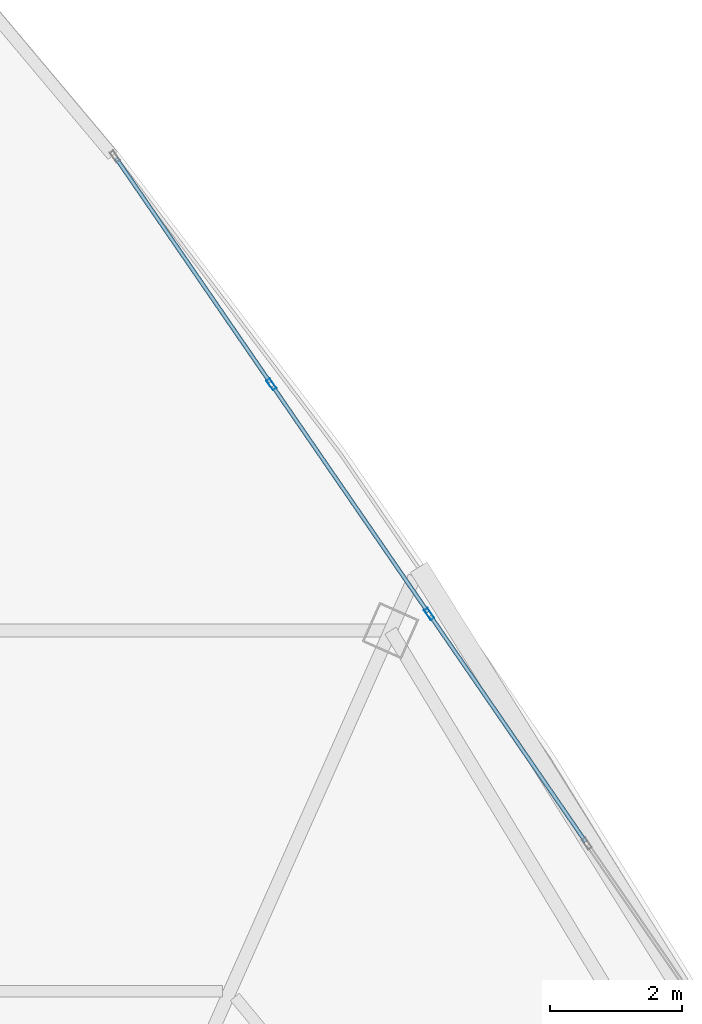
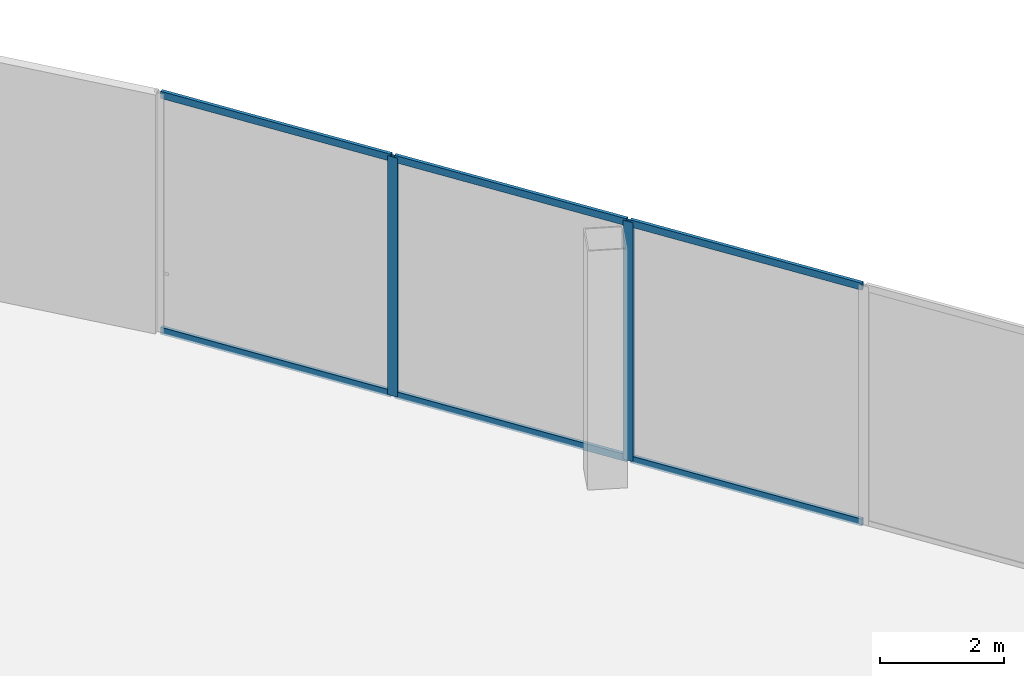
# One storey, part 27 of 33: 8 members, 1 element without a shape of its own.
"""IFC4 building model written with IfcOpenShell, lengths in metres."""

import ifcopenshell
import ifcopenshell.guid

model = None  # the IFC model being written
_history = None  # IfcOwnerHistory: only IFC2X3 demands one
_inside = {}  # id of a spatial element -> (the spatial element, [elements in it])
_under = {}  # id of a project, library or spatial element -> (it, [spatial elements below it])
_declared = {}  # id of a project -> (the project, [libraries it declares])
_typed = {}  # id of a type object -> (the type object, [elements of that type])
_made_of = {}  # id of a material, layer set ... -> (it, [elements and type objects made of it])


def new_model(schema):
    """Start an empty IFC model of exactly this schema.

    Asked for "IFC4X3", IfcOpenShell would pick the latest addendum, in which some entities
    have other attributes; the version numbers below select the first issue.
    IFC2X3 requires an IfcOwnerHistory on every rooted entity: one is made here for all.
    """
    global model, _history
    if schema == "IFC4X3":
        model = ifcopenshell.file(schema_version=(4, 3, 0, 0))
    else:
        model = ifcopenshell.file(schema=schema)
    _inside.clear()
    _under.clear()
    _declared.clear()
    _typed.clear()
    _made_of.clear()
    _history = None
    if model.schema == "IFC2X3":
        org = make("IfcOrganization", Name="unknown")
        user = make(
            "IfcPersonAndOrganization",
            ThePerson=make("IfcPerson", FamilyName="unknown"),
            TheOrganization=org,
        )
        app = make(
            "IfcApplication",
            ApplicationDeveloper=org,
            Version="unknown",
            ApplicationFullName="unknown",
            ApplicationIdentifier="unknown",
        )
        _history = make(
            "IfcOwnerHistory",
            OwningUser=user,
            OwningApplication=app,
            ChangeAction="ADDED",
            CreationDate=0,
        )
    return model


def make(cls, **values):
    """One entity of the class cls with the attributes given. An attribute that is None is left unset."""
    return model.create_entity(
        cls, **{name: value for name, value in values.items() if value is not None}
    )


def rooted(cls, **values):
    """An entity with a GlobalId (a new one), such as an element, a storey or a relation."""
    return make(cls, GlobalId=ifcopenshell.guid.new(), OwnerHistory=_history, **values)


def si_unit(unit_type, name, prefix=None):
    """IfcSIUnit, for example si_unit("LENGTHUNIT", "METRE", prefix="MILLI")."""
    return make("IfcSIUnit", UnitType=unit_type, Prefix=prefix, Name=name)


def assignment(units):
    """IfcUnitAssignment: the units of a project."""
    return None if units is None else make("IfcUnitAssignment", Units=units)


def point(xyz):
    """IfcCartesianPoint."""
    return None if xyz is None else make("IfcCartesianPoint", Coordinates=xyz)


def direction(xyz):
    """IfcDirection."""
    return None if xyz is None else make("IfcDirection", DirectionRatios=xyz)


def frame(location, z_axis=None, x_axis=None):
    """IfcAxis2Placement3D, a coordinate frame: its origin and axes. An axis left out is left unset."""
    return make(
        "IfcAxis2Placement3D",
        Location=point(location),
        Axis=direction(z_axis),
        RefDirection=direction(x_axis),
    )


def frame_2d(location, x_axis=None):
    """IfcAxis2Placement2D, a coordinate frame in the plane: its origin and x axis."""
    return make(
        "IfcAxis2Placement2D", Location=point(location), RefDirection=direction(x_axis)
    )


def origin():
    """The frame at (0, 0, 0) with its axes left unset."""
    return frame((0.0, 0.0, 0.0))


def origin_2d():
    """The frame at (0, 0) in the plane with its x axis left unset."""
    return frame_2d((0.0, 0.0))


def place(relative_to, where):
    """IfcLocalPlacement: puts the frame where relative to a parent placement (None: the world)."""
    return make(
        "IfcLocalPlacement", PlacementRelTo=relative_to, RelativePlacement=where
    )


def context(
    kind, dimensions, precision=None, world=None, true_north=None, identifier=None
):
    """IfcGeometricRepresentationContext, for example the 3D "Model" context."""
    return make(
        "IfcGeometricRepresentationContext",
        ContextIdentifier=identifier,
        ContextType=kind,
        CoordinateSpaceDimension=dimensions,
        Precision=precision,
        WorldCoordinateSystem=world,
        TrueNorth=true_north,
    )


def subcontext(parent, identifier, kind, view, scale=None):
    """IfcGeometricRepresentationSubContext, for example "Body" below "Model"."""
    return make(
        "IfcGeometricRepresentationSubContext",
        ContextIdentifier=identifier,
        ContextType=kind,
        ParentContext=parent,
        TargetScale=scale,
        TargetView=view,
    )


def project(units=None, contexts=None):
    """IfcProject with its units and contexts."""
    return rooted(
        "IfcProject",
        Name="project",
        RepresentationContexts=contexts,
        UnitsInContext=assignment(units),
    )


def spatial(cls, under=None, at=None, **own):
    """A site, building, storey or space (cls), placed at a placement, below another one or the project."""
    s = rooted(cls, ObjectPlacement=at, **own)
    if under is not None:
        _under.setdefault(under.id(), (under, []))[1].append(s)
    return s


def profile(cls, at=None, kind="AREA", **sizes):
    """A parametric profile (cls). Its sizes go by their IFC names, for example OverallWidth=200.0."""
    return make(cls, ProfileType=kind, Position=at, **sizes)


def hollow_rectangle(**sizes):
    """IfcRectangleHollowProfileDef."""
    return profile("IfcRectangleHollowProfileDef", **sizes)


def extrude(swept, where, along, depth):
    """IfcExtrudedAreaSolid: the profile swept, set in the frame where, extruded along a direction by depth."""
    return make(
        "IfcExtrudedAreaSolid",
        SweptArea=swept,
        Position=where,
        ExtrudedDirection=direction(along),
        Depth=depth,
    )


def shape(context_of_items, identifier, shape_type, items):
    """IfcShapeRepresentation: the items that make up one representation, for example the "Body"."""
    return make(
        "IfcShapeRepresentation",
        ContextOfItems=context_of_items,
        RepresentationIdentifier=identifier,
        RepresentationType=shape_type,
        Items=items,
    )


def source(mapping_origin, context_of_items, identifier, shape_type, items):
    """IfcRepresentationMap: a shape defined once, which mapped items show again and again."""
    return make(
        "IfcRepresentationMap",
        MappingOrigin=mapping_origin,
        MappedRepresentation=shape(context_of_items, identifier, shape_type, items),
    )


def transform(
    local_origin,
    x_axis=None,
    y_axis=None,
    z_axis=None,
    scale=None,
    scale2=None,
    scale3=None,
    uniform=True,
):
    """IfcCartesianTransformationOperator3D, or its non-uniform kind. x_axis, y_axis, z_axis: its Axis1, 2, 3."""
    if uniform:
        return make(
            "IfcCartesianTransformationOperator3D",
            Axis1=direction(x_axis),
            Axis2=direction(y_axis),
            LocalOrigin=point(local_origin),
            Scale=scale,
            Axis3=direction(z_axis),
        )
    return make(
        "IfcCartesianTransformationOperator3DnonUniform",
        Axis1=direction(x_axis),
        Axis2=direction(y_axis),
        LocalOrigin=point(local_origin),
        Scale=scale,
        Axis3=direction(z_axis),
        Scale2=scale2,
        Scale3=scale3,
    )


def mapped(mapping_source, mapping_target):
    """IfcMappedItem: shows the shape of a source again, moved by a transform."""
    return make(
        "IfcMappedItem", MappingSource=mapping_source, MappingTarget=mapping_target
    )


def material(Name=None, Category=None):
    """IfcMaterial."""
    return make("IfcMaterial", Name=Name, Category=Category)


def layer(
    of_material, thickness, ventilated=None, Name=None, Category=None, Priority=None
):
    """IfcMaterialLayer: one layer of a wall or slab, of a material (None: an air gap)."""
    return make(
        "IfcMaterialLayer",
        Material=of_material,
        LayerThickness=thickness,
        IsVentilated=ventilated,
        Name=Name,
        Category=Category,
        Priority=Priority,
    )


def layer_set(layers, Name=None):
    """IfcMaterialLayerSet."""
    return make("IfcMaterialLayerSet", MaterialLayers=layers, LayerSetName=Name)


def material_profile(
    of_material, cross_section, Name=None, Category=None, Priority=None
):
    """IfcMaterialProfile: a cross section and its material."""
    return make(
        "IfcMaterialProfile",
        Name=Name,
        Material=of_material,
        Profile=cross_section,
        Priority=Priority,
        Category=Category,
    )


def profile_set(profiles, Name=None, composite=None):
    """IfcMaterialProfileSet."""
    return make(
        "IfcMaterialProfileSet",
        Name=Name,
        MaterialProfiles=profiles,
        CompositeProfile=composite,
    )


def made_of(thing, what):
    """Note that an element or type object is made of a material, layer set ...; save() writes the relation."""
    if what is not None:
        _made_of.setdefault(what.id(), (what, []))[1].append(thing)
    return thing


def type_object(cls, material=None, **own):
    """A type object (cls), such as IfcWallType, which elements share."""
    return made_of(rooted(cls, **own), material)


def element(
    cls,
    number,
    at=None,
    inside=None,
    cuts=None,
    type_object=None,
    material=None,
    context=None,
    identifier="Body",
    shape_type=None,
    held_by="IfcProductDefinitionShape",
    body=None,
    shapes=None,
    **own,
):
    """One element of the class cls, such as IfcWall. Its Tag is "e" and its number.

    at: its placement. inside: the storey or other place that contains it. cuts: it is an
    opening in that element (IfcRelVoidsElement). A single representation is given by context,
    identifier, shape_type and body (its items); several are given by shapes. held_by: the class
    of the entity that holds the representations. save() writes the other relations.
    """
    e = rooted(cls, Tag="e%d" % number, ObjectPlacement=at, **own)
    if body is not None:
        shapes = [shape(context, identifier, shape_type, body)]
    if shapes is not None:
        e.Representation = make(held_by, Representations=shapes)
    if inside is not None:
        _inside.setdefault(inside.id(), (inside, []))[1].append(e)
    if cuts is not None:
        rooted(
            "IfcRelVoidsElement", RelatingBuildingElement=cuts, RelatedOpeningElement=e
        )
    if type_object is not None:
        _typed.setdefault(type_object.id(), (type_object, []))[1].append(e)
    return made_of(e, material)


def aggregate(whole, parts):
    """IfcRelAggregates: a whole, such as a stair, and the parts it consists of."""
    return rooted("IfcRelAggregates", RelatingObject=whole, RelatedObjects=parts)


def save(model, path):
    """Write the relations noted so far, then the file.

    IfcRelAggregates (storeys below a building ...), IfcRelContainedInSpatialStructure (elements
    in a storey), IfcRelDefinesByType, IfcRelAssociatesMaterial and IfcRelDeclares: one each for
    every whole, place, type object, material and project.
    """
    for whole, parts in _under.values():
        aggregate(whole, parts)
    for where, things in _inside.values():
        rooted(
            "IfcRelContainedInSpatialStructure",
            RelatedElements=things,
            RelatingStructure=where,
        )
    for kind, things in _typed.values():
        rooted("IfcRelDefinesByType", RelatedObjects=things, RelatingType=kind)
    for what, things in _made_of.values():
        rooted("IfcRelAssociatesMaterial", RelatedObjects=things, RelatingMaterial=what)
    for by, libraries in _declared.values():
        rooted("IfcRelDeclares", RelatingContext=by, RelatedDefinitions=libraries)
    model.write(path)


model = new_model("IFC4")

# Units and contexts
model_context = context("Model", 3, precision=1e-05, world=origin(), true_north=direction((0.0, 1.0)))
body_context = subcontext(model_context, "Body", "Model", "MODEL_VIEW")
ifc_project = project(units=[si_unit("LENGTHUNIT", "METRE"), si_unit("AREAUNIT", "SQUARE_METRE"), si_unit("VOLUMEUNIT", "CUBIC_METRE"), si_unit("PLANEANGLEUNIT", "RADIAN"), si_unit("MASSUNIT", "GRAM", prefix="KILO"), si_unit("THERMODYNAMICTEMPERATUREUNIT", "KELVIN"), si_unit("POWERUNIT", "WATT")], contexts=[model_context])

# Site, building, storey
site_placement = place(None, origin())
site = spatial("IfcSite", under=ifc_project, at=site_placement, CompositionType="ELEMENT")
building_placement = place(site_placement, origin())
building = spatial("IfcBuilding", under=site, at=building_placement, Name="Yunzhuo Pagoda Commons", CompositionType="ELEMENT")
storey_placement = place(building_placement, frame((0.0, 0.0, 391.760009765625)))
storey = spatial("IfcBuildingStorey", under=building, at=storey_placement, Name="L97", CompositionType="ELEMENT", Elevation=391.760009765625)

# Curtain wall, members
ifc_material = material(Name="Anodized aluminium 6063-T6", Category="aluminium")
ifc_layer = layer(ifc_material, 0.179931640625)
ifc_layer_set = layer_set([ifc_layer], Name="Anodized aluminium 6063-T6")
curtain_wall_type = type_object("IfcCurtainWallType", Name="CW-CRN Crown Gable Glazing System", PredefinedType="NOTDEFINED", material=ifc_layer_set)
curtain_wall_placement = place(storey_placement, origin())
curtain_wall = element("IfcCurtainWall", 1, at=curtain_wall_placement, inside=storey, type_object=curtain_wall_type, Name="L97 curtain wall CW-L97-CRNF2G2", PredefinedType="NOTDEFINED")
ifc_material_profile_1 = material_profile(ifc_material, hollow_rectangle(XDim=0.06494140625, YDim=0.179931640625, WallThickness=0.00390625, at=origin_2d()), Name="Anodized aluminium 6063-T6")
ifc_profile_set_1 = profile_set([ifc_material_profile_1], Name="Anodized aluminium 6063-T6")
member_type_1 = type_object("IfcMemberType", Name="CW-CRN-M Mullion RHS 180x65x4", PredefinedType="MULLION", material=ifc_profile_set_1)
shared_shape_1 = source(origin(), body_context, "Body", "SweptSolid", [
    extrude(hollow_rectangle(XDim=0.06494140625, YDim=0.179931640625, WallThickness=0.00390625, at=origin_2d()), origin(), (0.0, 0.0, 1.0), 4.72021484375),
])
member_1_placement = place(storey_placement, frame((59.083984375, 57.5341796875, 0.0), z_axis=(0.0, 0.0, 1.0), x_axis=(-0.824296116005, -0.566158911561, 0.0)))
member_1 = element("IfcMember", 2, at=member_1_placement, type_object=member_type_1, Name="CW mullion 3", PredefinedType="MULLION", context=body_context, shape_type="MappedRepresentation", body=[
    mapped(shared_shape_1, transform((0.0, 0.0, 0.0), scale=1.0)),
])
member_2_placement = place(storey_placement, frame((56.693359375, 61.014892578125, 0.0), z_axis=(0.0, 0.0, 1.0), x_axis=(-0.824296116005, -0.566158911561, 0.0)))
member_2 = element("IfcMember", 3, at=member_2_placement, type_object=member_type_1, Name="CW mullion 4", PredefinedType="MULLION", context=body_context, shape_type="MappedRepresentation", body=[
    mapped(shared_shape_1, transform((0.0, 0.0, 0.0), scale=1.0)),
])
ifc_material_profile_2 = material_profile(ifc_material, hollow_rectangle(XDim=0.06005859375, YDim=0.139892578125, WallThickness=0.00341796875, at=origin_2d()), Name="Anodized aluminium 6063-T6")
ifc_profile_set_2 = profile_set([ifc_material_profile_2], Name="Anodized aluminium 6063-T6")
member_type_2 = type_object("IfcMemberType", Name="CW-CRN-T Transom RHS 140x60x3.5", PredefinedType="USERDEFINED", material=ifc_profile_set_2)
shared_shape_2 = source(origin(), body_context, "Body", "SweptSolid", [
    extrude(hollow_rectangle(XDim=0.06005859375, YDim=0.139892578125, WallThickness=0.00341796875, at=origin_2d()), origin(), (0.0, 0.0, 1.0), 4.125244140625),
])
member_3_placement = place(storey_placement, frame((56.6748046875, 61.04150390625, 0.030029296875), z_axis=(-0.566079141113, 0.824350899797, 0.0), x_axis=(-0.824350899797, -0.566079141113, 0.0)))
member_3 = element("IfcMember", 4, at=member_3_placement, type_object=member_type_2, Name="CW transom 4.1", ObjectType="TRANSOM", PredefinedType="USERDEFINED", context=body_context, shape_type="MappedRepresentation", body=[
    mapped(shared_shape_2, transform((0.0, 0.0, 0.0), scale=1.0)),
])
member_4_placement = place(storey_placement, frame((56.6748046875, 61.04150390625, 4.68994140625), z_axis=(-0.566079141113, 0.824350899797, 0.0), x_axis=(-0.824350899797, -0.566079141113, 0.0)))
member_4 = element("IfcMember", 5, at=member_4_placement, type_object=member_type_2, Name="CW transom 4.2", ObjectType="TRANSOM", PredefinedType="USERDEFINED", context=body_context, shape_type="MappedRepresentation", body=[
    mapped(shared_shape_2, transform((0.0, 0.0, 0.0), scale=1.0)),
])
shared_shape_3 = source(origin(), body_context, "Body", "SweptSolid", [
    extrude(hollow_rectangle(XDim=0.06005859375, YDim=0.139892578125, WallThickness=0.00341796875, at=origin_2d()), origin(), (0.0, 0.0, 1.0), 4.15771484375),
])
member_5_placement = place(storey_placement, frame((61.456298828125, 54.080078125, 0.030029296875), z_axis=(-0.566164930277, 0.824291982082, 0.0), x_axis=(-0.824291982082, -0.566164930277, 0.0)))
member_5 = element("IfcMember", 6, at=member_5_placement, type_object=member_type_2, Name="CW transom 2.1", ObjectType="TRANSOM", PredefinedType="USERDEFINED", context=body_context, shape_type="MappedRepresentation", body=[
    mapped(shared_shape_3, transform((0.0, 0.0, 0.0), scale=1.0)),
])
member_6_placement = place(storey_placement, frame((61.456298828125, 54.080078125, 4.68994140625), z_axis=(-0.566164930277, 0.824291982082, 0.0), x_axis=(-0.824291982082, -0.566164930277, 0.0)))
member_6 = element("IfcMember", 7, at=member_6_placement, type_object=member_type_2, Name="CW transom 2.2", ObjectType="TRANSOM", PredefinedType="USERDEFINED", context=body_context, shape_type="MappedRepresentation", body=[
    mapped(shared_shape_3, transform((0.0, 0.0, 0.0), scale=1.0)),
])
member_7_placement = place(storey_placement, frame((59.065673828125, 57.560791015625, 0.030029296875), z_axis=(-0.566164930277, 0.824291982082, 0.0), x_axis=(-0.824291982082, -0.566164930277, 0.0)))
member_7 = element("IfcMember", 8, at=member_7_placement, type_object=member_type_2, Name="CW transom 3.1", ObjectType="TRANSOM", PredefinedType="USERDEFINED", context=body_context, shape_type="MappedRepresentation", body=[
    mapped(shared_shape_3, transform((0.0, 0.0, 0.0), scale=1.0)),
])
member_8_placement = place(storey_placement, frame((59.065673828125, 57.560791015625, 4.68994140625), z_axis=(-0.566164930277, 0.824291982082, 0.0), x_axis=(-0.824291982082, -0.566164930277, 0.0)))
member_8 = element("IfcMember", 9, at=member_8_placement, type_object=member_type_2, Name="CW transom 3.2", ObjectType="TRANSOM", PredefinedType="USERDEFINED", context=body_context, shape_type="MappedRepresentation", body=[
    mapped(shared_shape_3, transform((0.0, 0.0, 0.0), scale=1.0)),
])
aggregate(curtain_wall, [member_1, member_2, member_5, member_6, member_7, member_8, member_3, member_4])

save(model, "model.ifc")
